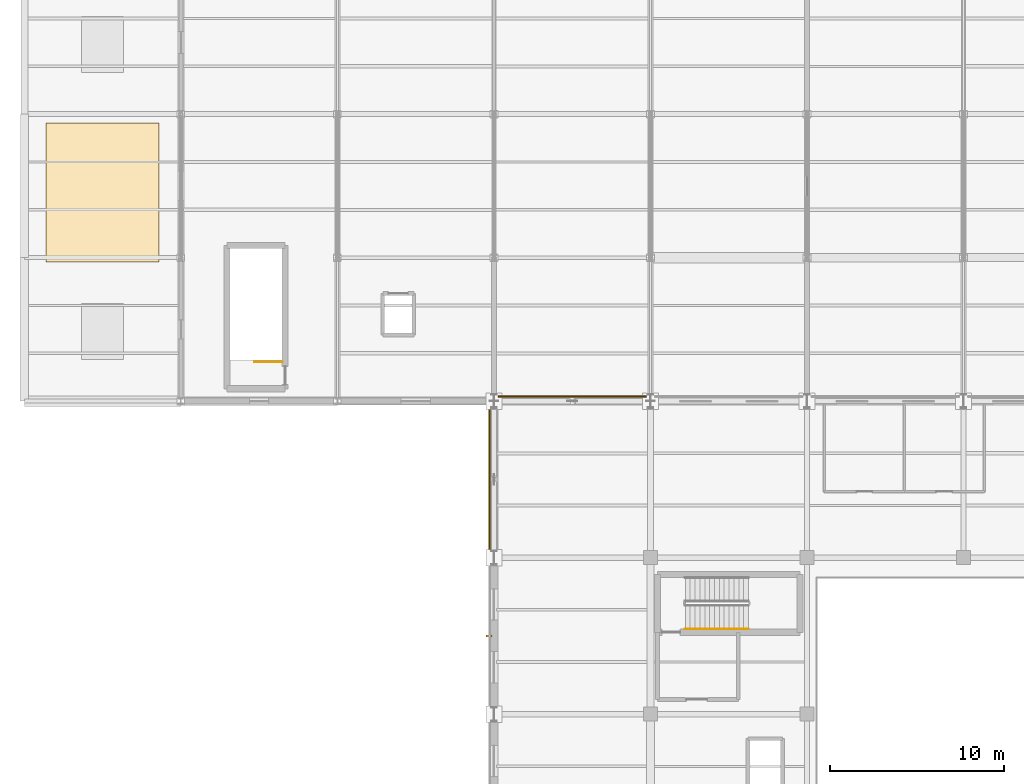
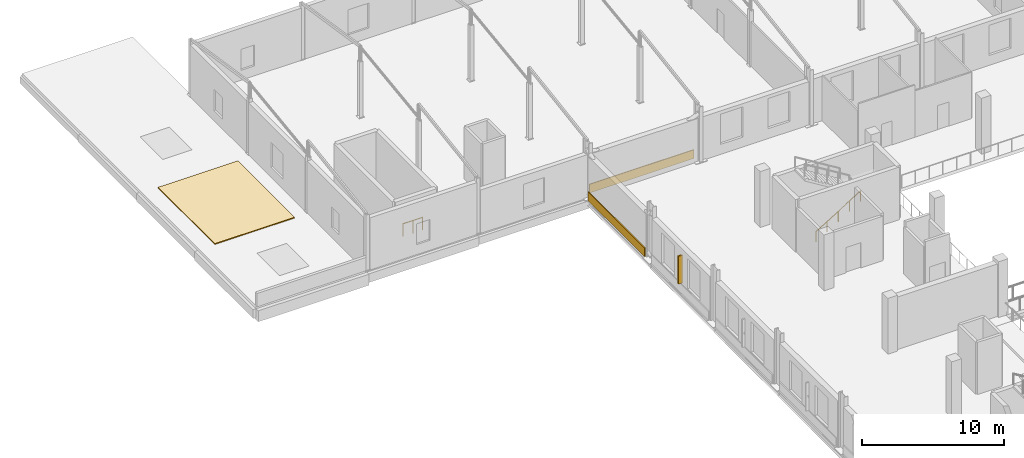
# One storey, part 50 of 54: 3 coverings, 2 railings, 1 shading device.
"""IFC4 building model written with IfcOpenShell, lengths in metres."""

from ifc_helpers import new_model, si_unit, direction, frame, origin, origin_2d, place, context, subcontext, project, spatial, rectangle, circle, extrude, material, layer, layer_set, type_object, element, save


model = new_model("IFC4")

# Units and contexts
model_context = context("Model", 3, precision=1e-05, world=origin(), true_north=direction((0.0, 1.0)))
body_context = subcontext(model_context, "Body", "Model", "MODEL_VIEW")
ifc_project = project(units=[si_unit("LENGTHUNIT", "METRE"), si_unit("AREAUNIT", "SQUARE_METRE"), si_unit("VOLUMEUNIT", "CUBIC_METRE"), si_unit("PLANEANGLEUNIT", "RADIAN"), si_unit("MASSUNIT", "GRAM", prefix="KILO")], contexts=[model_context])

# Site, building, storey
site_placement = place(None, origin())
site = spatial("IfcSite", under=ifc_project, at=site_placement, CompositionType="ELEMENT")
building_placement = place(site_placement, origin())
building = spatial("IfcBuilding", under=site, at=building_placement, Name="Sundgate Opera House", CompositionType="ELEMENT")
storey_placement = place(building_placement, frame((0.0, 0.0, 16.800048828125)))
storey = spatial("IfcBuildingStorey", under=building, at=storey_placement, Name="L03", CompositionType="ELEMENT", Elevation=16.800048828125)

# Coverings
ifc_material_1 = material(Name="Glazed stoneware roof tile and waterproof membrane", Category="masonry")
ifc_layer_1 = layer(ifc_material_1, 0.080078125)
ifc_layer_set_1 = layer_set([ifc_layer_1], Name="Glazed stoneware roof tile and waterproof membrane")
covering_type_1 = type_object("IfcCoveringType", Name="CV-ROOF-CERAMIC", PredefinedType="ROOFING", material=ifc_layer_set_1)
covering_1_placement = place(storey_placement, frame((4.5, 99.0, 0.0), z_axis=(0.0, 0.0, 1.0), x_axis=(1.0, 0.0, 0.0)))
element("IfcCovering", 1, at=covering_1_placement, inside=storey, type_object=covering_type_1, Name="L03 Roof Covering CV0123", PredefinedType="ROOFING", context=body_context, shape_type="SweptSolid", body=[
    extrude(rectangle(XDim=6.5, YDim=8.0, at=origin_2d()), origin(), (0.0, 0.0, 1.0), 0.080078125),
])
ifc_material_2 = material(Name="Frost-proof vitrified stoneware trencadis relief tile", Category="masonry")
ifc_layer_2 = layer(ifc_material_2, 0.074951171875)
ifc_layer_set_2 = layer_set([ifc_layer_2], Name="Frost-proof vitrified stoneware trencadis relief tile")
covering_type_2 = type_object("IfcCoveringType", Name="CV-TRENC-RELIEF", PredefinedType="CLADDING", material=ifc_layer_set_2)
covering_2_placement = place(storey_placement, frame((31.5, 87.257568359375, 0.044921875), z_axis=(0.0, 0.0, 1.0), x_axis=(1.0, 0.0, 0.0)))
element("IfcCovering", 2, at=covering_2_placement, inside=storey, type_object=covering_type_2, Name="L03 Trencadis 750mm Relief Band CV0026", PredefinedType="CLADDING", context=body_context, shape_type="SweptSolid", body=[
    extrude(rectangle(XDim=8.510009765625, YDim=0.074951171875, at=origin_2d()), origin(), (0.0, 0.0, 1.0), 0.75),
])
ifc_material_3 = material(Name="Polychrome trencadis mosaic panel", Category="masonry")
ifc_layer_3 = layer(ifc_material_3, 0.054931640625)
ifc_layer_set_3 = layer_set([ifc_layer_3], Name="Polychrome trencadis mosaic panel")
covering_type_3 = type_object("IfcCoveringType", Name="CV-TRENC-SLIM", PredefinedType="CLADDING", material=ifc_layer_set_3)
covering_3_placement = place(storey_placement, frame((26.742431640625, 82.5, 0.044921875), z_axis=(0.0, 0.0, 1.0), x_axis=(0.0, 1.0, 0.0)))
element("IfcCovering", 3, at=covering_3_placement, inside=storey, type_object=covering_type_3, Name="L03 Trencadis 750mm Relief Band CV0047", PredefinedType="CLADDING", context=body_context, shape_type="SweptSolid", body=[
    extrude(rectangle(XDim=8.010009765625, YDim=0.074951171875, at=origin_2d()), origin(), (0.0, 0.0, 1.0), 0.75),
])

# Railings
ifc_material_4 = material(Name="Painted steel S275 guardrail", Category="steel")
railing_type_1 = type_object("IfcRailingType", Name="RL-STAIR-GUARD-1100", PredefinedType="GUARDRAIL", material=ifc_material_4)
railing_1_placement = place(storey_placement, frame((14.85009765625, 89.25, 0.0)))
element("IfcRailing", 4, at=railing_1_placement, inside=storey, type_object=railing_type_1, Name="ST-08 Top Well Guardrail RL0275", PredefinedType="GUARDRAIL", context=body_context, shape_type="SweptSolid", body=[
    extrude(circle(Radius=0.02392578125, at=origin_2d()), frame((0.0, 0.0, 1.076171875), z_axis=(-1.0, 0.0, 0.0), x_axis=(0.0, -1.0, 0.0)), (0.0, 0.0, 1.0), 1.60009765625),
    extrude(circle(Radius=0.02099609375, at=origin_2d()), origin(), (0.0, 0.0, 1.0), 1.052001953125),
    extrude(circle(Radius=0.02099609375, at=origin_2d()), frame((-0.800048828125, 0.0, 0.0)), (0.0, 0.0, 1.0), 1.052001953125),
    extrude(circle(Radius=0.02099609375, at=origin_2d()), frame((-1.60009765625, 0.0, 0.0)), (0.0, 0.0, 1.0), 1.052001953125),
])
ifc_material_5 = material(Name="Brushed stainless steel handrail", Category="steel")
railing_type_2 = type_object("IfcRailingType", Name="RL-STAIR-HAND-900", PredefinedType="HANDRAIL", material=ifc_material_5)
railing_2_placement = place(storey_placement, frame((38.0, 73.89990234375, 0.17138671875)))
element("IfcRailing", 5, at=railing_2_placement, inside=storey, type_object=railing_type_2, Name="ST02L03 Handrail RL0075", PredefinedType="HANDRAIL", context=body_context, shape_type="SweptSolid", body=[
    extrude(circle(Radius=0.02392578125, at=origin_2d()), frame((0.0, 0.0, 0.8759765625), z_axis=(0.852850264322, 0.0, 0.5221555579), x_axis=(0.0, 1.0, 0.0)), (0.0, 0.0, 1.0), 4.267822265625),
    extrude(circle(Radius=0.02099609375, at=origin_2d()), origin(), (0.0, 0.0, 1.0), 0.851806640625),
    extrude(circle(Radius=0.02099609375, at=origin_2d()), frame((0.909912109375, 0.0, 0.55712890625)), (0.0, 0.0, 1.0), 0.851806640625),
    extrude(circle(Radius=0.02099609375, at=origin_2d()), frame((1.81982421875, 0.0, 1.1142578125)), (0.0, 0.0, 1.0), 0.851806640625),
    extrude(circle(Radius=0.02099609375, at=origin_2d()), frame((2.72998046875, 0.0, 1.67138671875)), (0.0, 0.0, 1.0), 0.851806640625),
    extrude(circle(Radius=0.02099609375, at=origin_2d()), frame((3.639892578125, 0.0, 2.228515625)), (0.0, 0.0, 1.0), 0.851806640625),
])

# Shading device
ifc_material_6 = material(Name="Frost-proof vitrified stoneware ceramic fin", Category="masonry")
shading_device_type = type_object("IfcShadingDeviceType", Name="SD-CERAMIC-FIN", PredefinedType="JALOUSIE", material=ifc_material_6)
shading_device_placement = place(storey_placement, frame((26.719970703125, 73.5, 0.800048828125), z_axis=(0.0, 0.0, 1.0), x_axis=(1.0, 0.0, 0.0)))
element("IfcShadingDevice", 6, at=shading_device_placement, inside=storey, type_object=shading_device_type, Name="L03 Ceramic Brise-Soleil Fin SD0016", PredefinedType="JALOUSIE", context=body_context, shape_type="SweptSolid", body=[
    extrude(rectangle(XDim=0.35009765625, YDim=0.1201171875, at=origin_2d()), origin(), (0.0, 0.0, 1.0), 2.39990234375),
])

save(model, "model.ifc")
